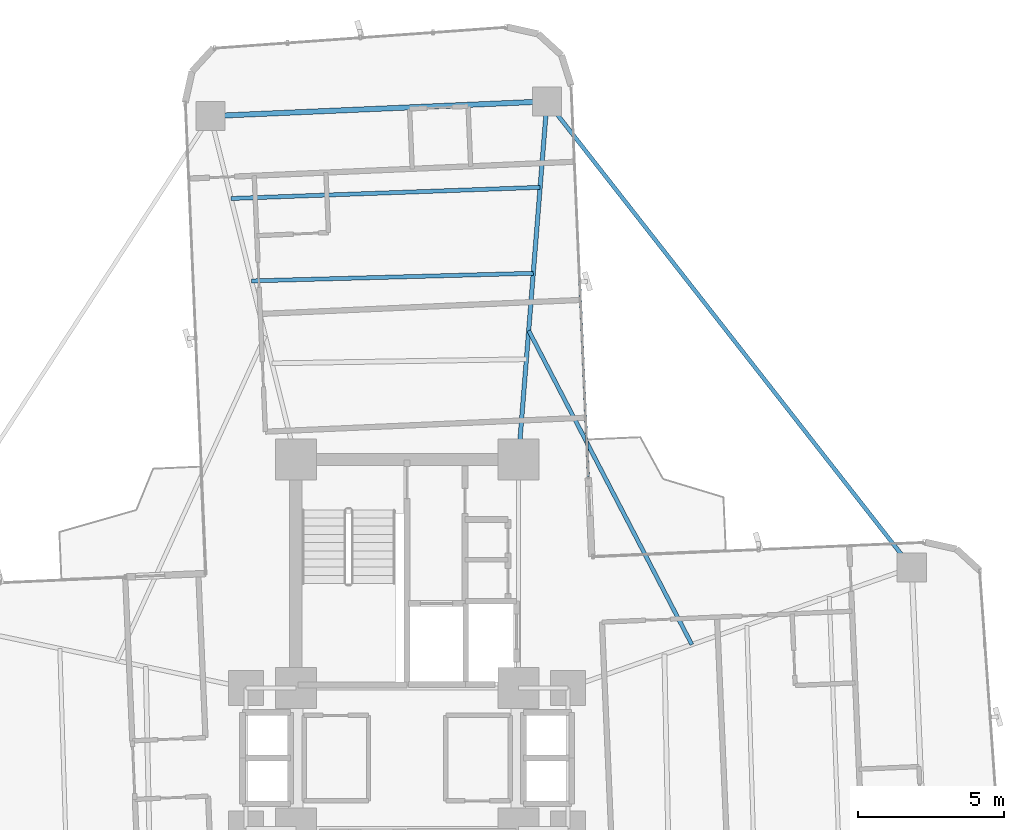
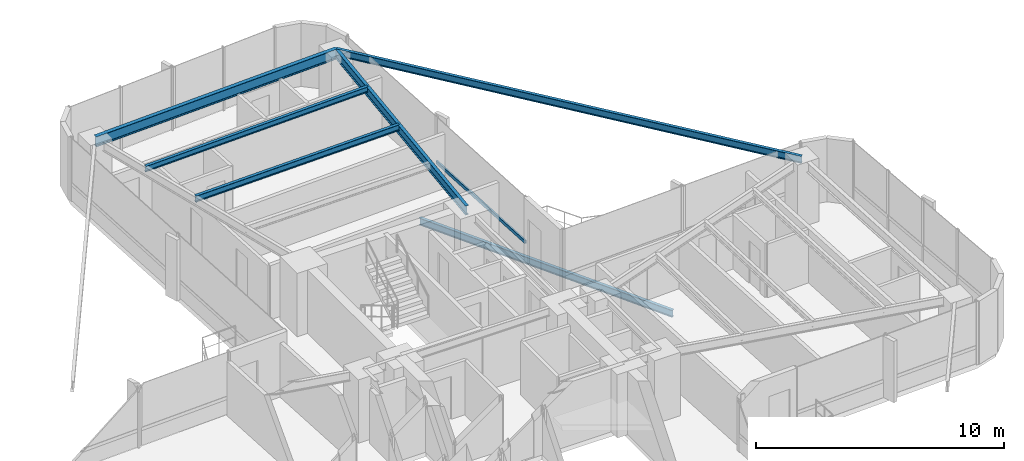
# One storey, part 18 of 26: 6 beams, 1 member, 1 element without a shape of its own.
"""IFC4 building model written with IfcOpenShell, lengths in metres."""

from ifc_helpers import new_model, si_unit, direction, frame, origin, origin_2d, place, context, subcontext, project, spatial, hollow_rectangle, i_section, extrude, source, transform, mapped, material, material_profile, profile_set, type_object, element, aggregate, save


model = new_model("IFC4")

# Units and contexts
model_context = context("Model", 3, precision=1e-05, world=origin(), true_north=direction((0.0, 1.0)))
body_context = subcontext(model_context, "Body", "Model", "MODEL_VIEW")
ifc_project = project(units=[si_unit("LENGTHUNIT", "METRE"), si_unit("AREAUNIT", "SQUARE_METRE"), si_unit("VOLUMEUNIT", "CUBIC_METRE"), si_unit("PLANEANGLEUNIT", "RADIAN"), si_unit("MASSUNIT", "GRAM", prefix="KILO")], contexts=[model_context])

# Site, building, storey
site_placement = place(None, origin())
site = spatial("IfcSite", under=ifc_project, at=site_placement, CompositionType="ELEMENT")
building_placement = place(site_placement, origin())
building = spatial("IfcBuilding", under=site, at=building_placement, Name="Sahyath Konkavel Grand Hotel", CompositionType="ELEMENT")
storey_placement = place(building_placement, frame((0.0, 0.0, 118.14990234375)))
storey = spatial("IfcBuildingStorey", under=building, at=storey_placement, Name="L32", CompositionType="ELEMENT", Elevation=118.14990234375)

# Beams
ifc_material_1 = material(Name="Steel E350", Category="steel")
ifc_material_profile_1 = material_profile(ifc_material_1, i_section(OverallWidth=0.14990234375, OverallDepth=0.449951171875, WebThickness=0.009521484375, FlangeThickness=0.017333984375, FilletRadius=0.014892578125, at=origin_2d()), Name="ISMB 450")
ifc_profile_set_1 = profile_set([ifc_material_profile_1], Name="Steel E350")
beam_type_1 = type_object("IfcBeamType", Name="BM-ISMB450", PredefinedType="BEAM", material=ifc_profile_set_1)
shared_shape_1 = source(origin(), body_context, "Body", "SweptSolid", [
    extrude(i_section(OverallWidth=0.14990234375, OverallDepth=0.449951171875, WebThickness=0.009521484375, FlangeThickness=0.017333984375, FilletRadius=0.014892578125, at=origin_2d()), origin(), (0.0, 0.0, 1.0), 12.2685546875),
])
beam_1_placement = place(storey_placement, frame((3.800048828125, 10.199951171875, 2.885009765625), z_axis=(0.079558563357, 0.996830193662, 0.0), x_axis=(-0.996830193662, 0.079558563357, 0.0)))
element("IfcBeam", 1, at=beam_1_placement, inside=storey, type_object=beam_type_1, Name="L32 Cruciform Radial Girder NA", PredefinedType="BEAM", context=body_context, shape_type="MappedRepresentation", body=[
    mapped(shared_shape_1, transform((0.0, 0.0, 0.0), scale=1.0)),
])
ifc_material_profile_2 = material_profile(ifc_material_1, i_section(OverallWidth=0.179931640625, OverallDepth=0.5, WebThickness=0.01025390625, FlangeThickness=0.01708984375, FilletRadius=0.01708984375, at=origin_2d()), Name="ISMB 500")
ifc_profile_set_2 = profile_set([ifc_material_profile_2], Name="Steel E350")
beam_type_2 = type_object("IfcBeamType", Name="BM-ISMB500", PredefinedType="BEAM", material=ifc_profile_set_2)
shared_shape_2 = source(origin(), body_context, "Body", "SweptSolid", [
    extrude(i_section(OverallWidth=0.179931640625, OverallDepth=0.5, WebThickness=0.01025390625, FlangeThickness=0.01708984375, FilletRadius=0.01708984375, at=origin_2d()), origin(), (0.0, 0.0, 1.0), 11.5),
])
beam_2_placement = place(storey_placement, frame((4.776123046875, 22.4296875, 2.860107421875), z_axis=(-0.99904788879, -0.043627008892, 0.0), x_axis=(0.043627008892, -0.99904788879, 0.0)))
element("IfcBeam", 2, at=beam_2_placement, inside=storey, type_object=beam_type_2, Name="L32 Wing Tip Edge Beam N", PredefinedType="BEAM", context=body_context, shape_type="MappedRepresentation", body=[
    mapped(shared_shape_2, transform((0.0, 0.0, 0.0), scale=1.0)),
])
ifc_material_profile_3 = material_profile(ifc_material_1, i_section(OverallWidth=0.139892578125, OverallDepth=0.35009765625, WebThickness=0.008056640625, FlangeThickness=0.01416015625, FilletRadius=0.013916015625, at=origin_2d()), Name="ISMB 350")
ifc_profile_set_3 = profile_set([ifc_material_profile_3], Name="Steel E350")
beam_type_3 = type_object("IfcBeamType", Name="BM-ISMB350", PredefinedType="BEAM", material=ifc_profile_set_3)
shared_shape_3 = source(origin(), body_context, "Body", "SweptSolid", [
    extrude(i_section(OverallWidth=0.139892578125, OverallDepth=0.35009765625, WebThickness=0.008056640625, FlangeThickness=0.01416015625, FilletRadius=0.013916015625, at=origin_2d()), origin(), (0.0, 0.0, 1.0), 20.215576171875),
])
beam_3_placement = place(storey_placement, frame((17.232421875, 6.5078125, 2.93505859375), z_axis=(-0.616176369687, 0.787608203004, 0.0), x_axis=(-0.787608203004, -0.616176369687, 0.0)))
element("IfcBeam", 3, at=beam_3_placement, inside=storey, type_object=beam_type_3, Name="L32 Re-Entrant Tie Beam NE", PredefinedType="BEAM", context=body_context, shape_type="MappedRepresentation", body=[
    mapped(shared_shape_3, transform((0.0, 0.0, 0.0), scale=1.0)),
])
ifc_material_profile_4 = material_profile(ifc_material_1, i_section(OverallWidth=0.139892578125, OverallDepth=0.300048828125, WebThickness=0.0078125, FlangeThickness=0.01318359375, FilletRadius=0.013916015625, at=origin_2d()), Name="ISMB 300")
ifc_profile_set_4 = profile_set([ifc_material_profile_4], Name="Steel E350")
beam_type_4 = type_object("IfcBeamType", Name="BM-ISMB300", PredefinedType="BEAM", material=ifc_profile_set_4)
shared_shape_4 = source(origin(), body_context, "Body", "SweptSolid", [
    extrude(i_section(OverallWidth=0.139892578125, OverallDepth=0.300048828125, WebThickness=0.0078125, FlangeThickness=0.01318359375, FilletRadius=0.013916015625, at=origin_2d()), origin(), (0.0, 0.0, 1.0), 9.625732421875),
])
beam_4_placement = place(storey_placement, frame((4.3076171875, 16.559326171875, 2.960205078125), z_axis=(-0.999633060528, -0.027087714933, 0.0), x_axis=(0.027087714933, -0.999633060528, 0.0)))
element("IfcBeam", 4, at=beam_4_placement, inside=storey, type_object=beam_type_4, Name="L32 Secondary Floor Beam N-2", PredefinedType="BEAM", context=body_context, shape_type="MappedRepresentation", body=[
    mapped(shared_shape_4, transform((0.0, 0.0, 0.0), scale=1.0)),
])
ifc_material_profile_5 = material_profile(ifc_material_1, i_section(OverallWidth=0.139892578125, OverallDepth=0.27490234375, WebThickness=0.00634765625, FlangeThickness=0.0087890625, FilletRadius=0.012939453125, at=origin_2d()), Name="ISLB 275")
ifc_profile_set_5 = profile_set([ifc_material_profile_5], Name="Steel E350")
beam_type_5 = type_object("IfcBeamType", Name="BM-ISLB275", PredefinedType="BEAM", material=ifc_profile_set_5)
shared_shape_5 = source(origin(), body_context, "Body", "SweptSolid", [
    extrude(i_section(OverallWidth=0.139892578125, OverallDepth=0.27490234375, WebThickness=0.00634765625, FlangeThickness=0.0087890625, FilletRadius=0.012939453125, at=origin_2d()), origin(), (0.0, 0.0, 1.0), 10.562744140625),
])
beam_5_placement = place(storey_placement, frame((4.5419921875, 19.49462890625, 2.97265625), z_axis=(-0.999348077295, -0.036102914095, 0.0), x_axis=(0.036102914095, -0.999348077295, 0.0)))
element("IfcBeam", 5, at=beam_5_placement, inside=storey, type_object=beam_type_5, Name="L32 Secondary Floor Beam N-3", PredefinedType="BEAM", context=body_context, shape_type="MappedRepresentation", body=[
    mapped(shared_shape_5, transform((0.0, 0.0, 0.0), scale=1.0)),
])

# Curtain wall, member
ifc_material_2 = material(Name="Anodised Bronze Aluminium & Low-E Glazing", Category="aluminium")
curtain_wall_type = type_object("IfcCurtainWallType", Name="CW-ZONE2", PredefinedType="NOTDEFINED", material=ifc_material_2)
curtain_wall_placement = place(storey_placement, origin())
curtain_wall = element("IfcCurtainWall", 6, at=curtain_wall_placement, inside=storey, type_object=curtain_wall_type, Name="L32 Unitised Curtain Wall F8", PredefinedType="NOTDEFINED")
ifc_material_3 = material(Name="Anodised Bronze Aluminium", Category="aluminium")
ifc_material_profile_6 = material_profile(ifc_material_3, hollow_rectangle(XDim=0.080078125, YDim=0.159912109375, WallThickness=0.006103515625, at=origin_2d()), Name="RHS 160x80x6")
ifc_profile_set_6 = profile_set([ifc_material_profile_6], Name="Anodised Bronze Aluminium")
member_type = type_object("IfcMemberType", Name="CW-TRN-160", PredefinedType="USERDEFINED", material=ifc_profile_set_6)
shared_shape_6 = source(origin(), body_context, "Body", "SweptSolid", [
    extrude(hollow_rectangle(XDim=0.080078125, YDim=0.159912109375, WallThickness=0.006103515625, at=origin_2d()), origin(), (0.0, 0.0, 1.0), 6.66015625),
])
member_placement = place(storey_placement, frame((6.186279296875, 9.618896484375, 0.85009765625), z_axis=(-0.043621753165, 0.999048118286, 0.0), x_axis=(-0.999048118286, -0.043621753165, 0.0)))
member = element("IfcMember", 7, at=member_placement, type_object=member_type, Name="L32 Curtain Wall Transom F8-0-spandrel", ObjectType="TRANSOM", PredefinedType="USERDEFINED", context=body_context, shape_type="MappedRepresentation", body=[
    mapped(shared_shape_6, transform((0.0, 0.0, 0.0), scale=1.0)),
])
aggregate(curtain_wall, [member])

# Beam
ifc_material_profile_7 = material_profile(ifc_material_1, i_section(OverallWidth=0.139892578125, OverallDepth=0.35009765625, WebThickness=0.008056640625, FlangeThickness=0.01416015625, FilletRadius=0.013916015625, at=origin_2d()), Name="ISMB 350")
ifc_profile_set_7 = profile_set([ifc_material_profile_7], Name="Steel E350")
beam_type_6 = type_object("IfcBeamType", Name="BM-BALC-CANT", PredefinedType="BEAM", material=ifc_profile_set_7)
shared_shape_7 = source(origin(), body_context, "Body", "SweptSolid", [
    extrude(i_section(OverallWidth=0.139892578125, OverallDepth=0.35009765625, WebThickness=0.008056640625, FlangeThickness=0.01416015625, FilletRadius=0.013916015625, at=origin_2d()), origin(), (0.0, 0.0, 1.0), 12.085205078125),
])
beam_6_placement = place(storey_placement, frame((9.7236328125, 3.87890625, -0.414794921875), z_axis=(-0.461082384626, 0.887357331962, 0.0), x_axis=(-0.887357331962, -0.461082384626, 0.0)))
element("IfcBeam", 8, at=beam_6_placement, inside=storey, type_object=beam_type_6, Name="L32 Balcony Cantilever Support Beam NE", PredefinedType="BEAM", context=body_context, shape_type="MappedRepresentation", body=[
    mapped(shared_shape_7, transform((0.0, 0.0, 0.0), scale=1.0)),
])

save(model, "model.ifc")
